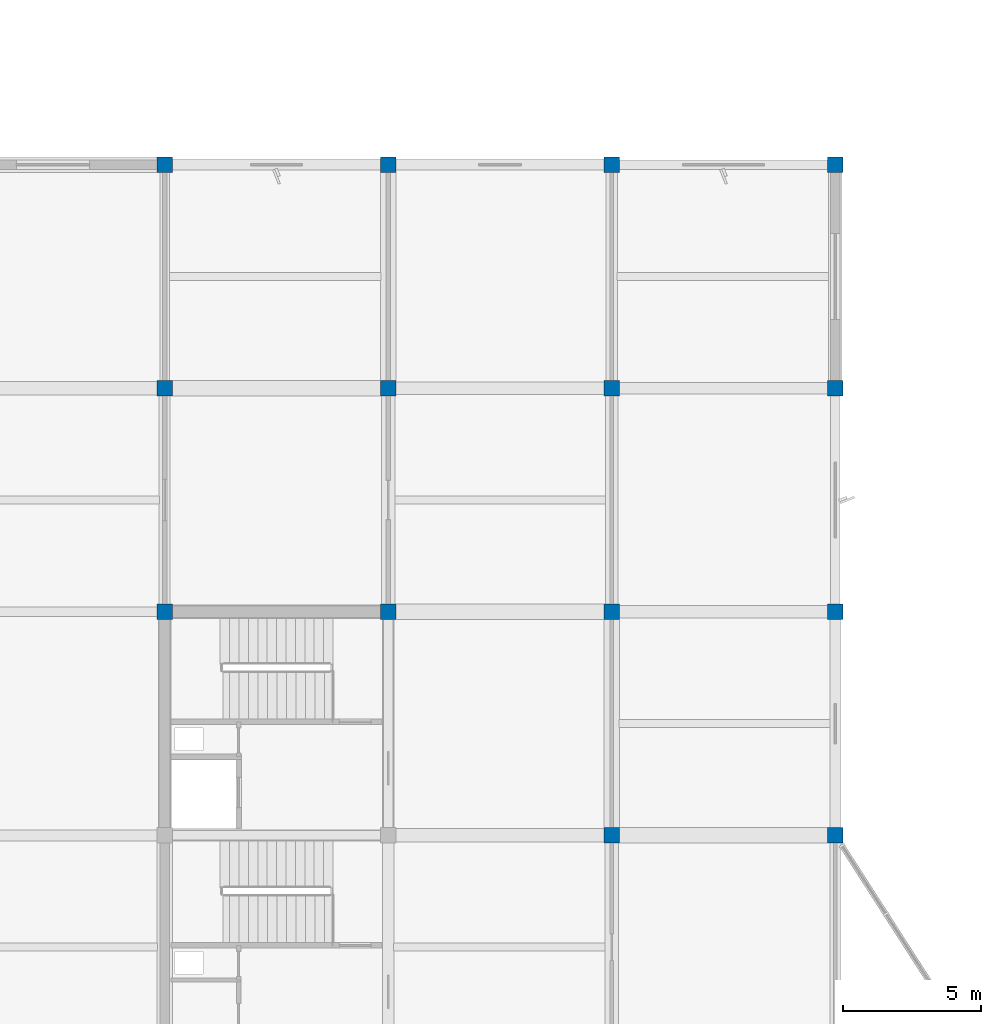
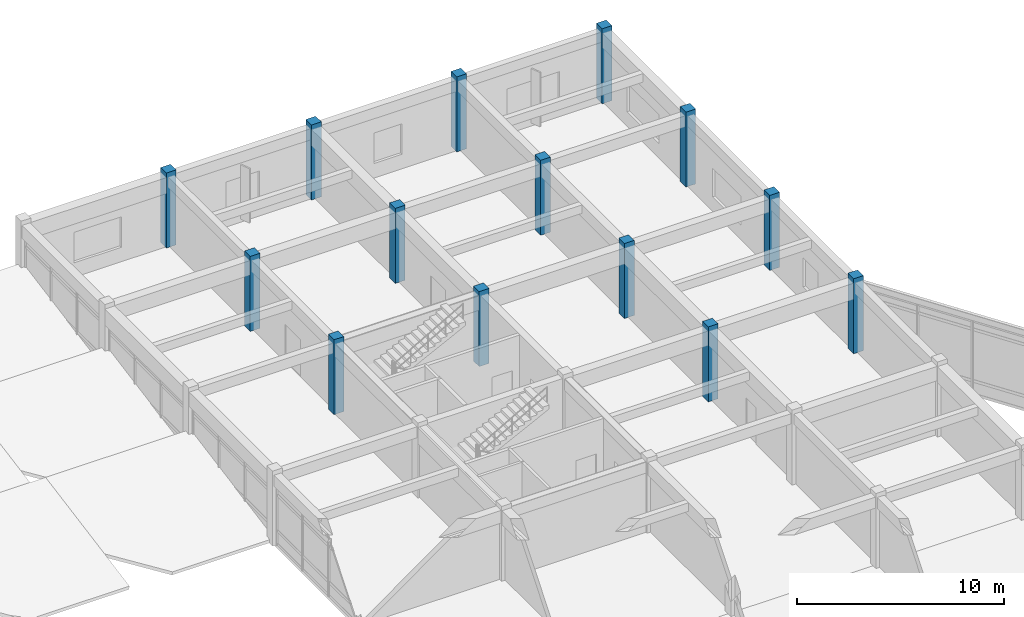
# One storey, part 12 of 33: 14 columns.
"""IFC4 building model written with IfcOpenShell, lengths in metres."""

from ifc_helpers import new_model, si_unit, direction, frame, origin, origin_2d, place, context, subcontext, project, spatial, rectangle, extrude, material, material_profile, profile_set, type_object, element, save


model = new_model("IFC4")

# Units and contexts
model_context = context("Model", 3, precision=1e-05, world=origin(), true_north=direction((0.0, 1.0)))
body_context = subcontext(model_context, "Body", "Model", "MODEL_VIEW")
ifc_project = project(units=[si_unit("LENGTHUNIT", "METRE"), si_unit("AREAUNIT", "SQUARE_METRE"), si_unit("VOLUMEUNIT", "CUBIC_METRE"), si_unit("PLANEANGLEUNIT", "RADIAN"), si_unit("MASSUNIT", "GRAM", prefix="KILO")], contexts=[model_context])

# Site, building, storey
site_placement = place(None, origin())
site = spatial("IfcSite", under=ifc_project, at=site_placement, CompositionType="ELEMENT")
building_placement = place(site_placement, origin())
building = spatial("IfcBuilding", under=site, at=building_placement, Name="Vaudrelin Polytechnic", CompositionType="ELEMENT")
storey_placement = place(building_placement, frame((0.0, 0.0, 27.3701171875)))
storey = spatial("IfcBuildingStorey", under=building, at=storey_placement, Name="L06", CompositionType="ELEMENT", Elevation=27.3701171875)

# Columns
ifc_material = material(Name="Concrete 40 MPa", Category="concrete")
ifc_material_profile = material_profile(ifc_material, rectangle(XDim=0.550048828125, YDim=0.550048828125, at=origin_2d()), Name="RC550x550")
ifc_profile_set = profile_set([ifc_material_profile], Name="Concrete 40 MPa")
column_type = type_object("IfcColumnType", Name="COL-C-RC550", PredefinedType="COLUMN", material=ifc_profile_set)
for number, where, z_axis, x_axis, name in (
    (1, (145.800048828125, 105.300048828125, 0.0), (0.0, 0.0, 1.0), (1.0, 0.0, 0.0), "Column L06 19-14"),
    (2, (145.800048828125, 113.39990234375, 0.0), (0.0, 0.0, 1.0), (1.0, 0.0, 0.0), "Column L06 19-15"),
    (3, (145.800048828125, 121.5, 0.0), (0.0, 0.0, 1.0), (1.0, 0.0, 0.0), "Column L06 19-16"),
    (4, (153.89990234375, 105.300048828125, 0.0), (0.0, 0.0, 1.0), (1.0, 0.0, 0.0), "Column L06 20-14"),
    (5, (153.89990234375, 113.39990234375, 0.0), (0.0, 0.0, 1.0), (1.0, 0.0, 0.0), "Column L06 20-15"),
    (6, (153.89990234375, 121.5, 0.0), (0.0, 0.0, 1.0), (1.0, 0.0, 0.0), "Column L06 20-16"),
    (7, (162.0, 97.199951171875, 0.0), (0.0, 0.0, 1.0), (1.0, 0.0, 0.0), "Column L06 21-13"),
    (8, (162.0, 105.300048828125, 0.0), (0.0, 0.0, 1.0), (1.0, 0.0, 0.0), "Column L06 21-14"),
    (9, (162.0, 113.39990234375, 0.0), (0.0, 0.0, 1.0), (1.0, 0.0, 0.0), "Column L06 21-15"),
    (10, (162.0, 121.5, 0.0), (0.0, 0.0, 1.0), (1.0, 0.0, 0.0), "Column L06 21-16"),
    (11, (170.10009765625, 97.199951171875, 0.0), (0.0, 0.0, 1.0), (1.0, 0.0, 0.0), "Column L06 22-13"),
    (12, (170.10009765625, 105.300048828125, 0.0), (0.0, 0.0, 1.0), (1.0, 0.0, 0.0), "Column L06 22-14"),
    (13, (170.10009765625, 113.39990234375, 0.0), (0.0, 0.0, 1.0), (1.0, 0.0, 0.0), "Column L06 22-15"),
    (14, (170.10009765625, 121.5, 0.0), (0.0, 0.0, 1.0), (1.0, 0.0, 0.0), "Column L06 22-16"),
):
    element("IfcColumn", number, at=place(storey_placement, frame(where, z_axis=z_axis, x_axis=x_axis)), inside=storey, type_object=column_type, Name=name, PredefinedType="COLUMN", context=body_context, shape_type="SweptSolid", body=[
        extrude(rectangle(XDim=0.550048828125, YDim=0.550048828125, at=origin_2d()), origin(), (0.0, 0.0, 1.0), 4.419921875),
    ])

save(model, "model.ifc")
